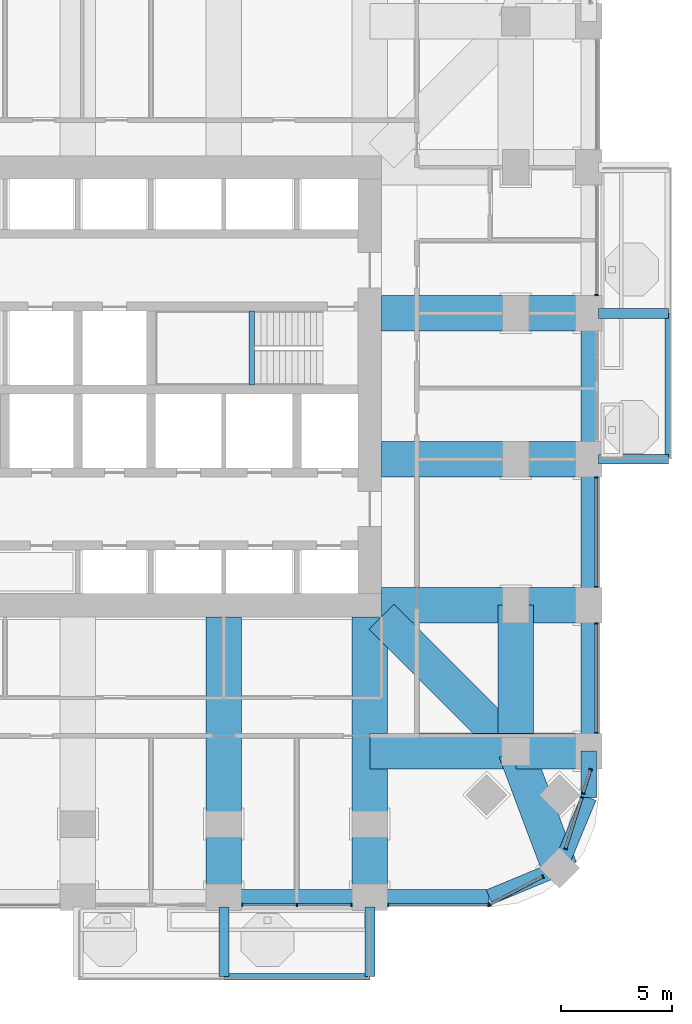
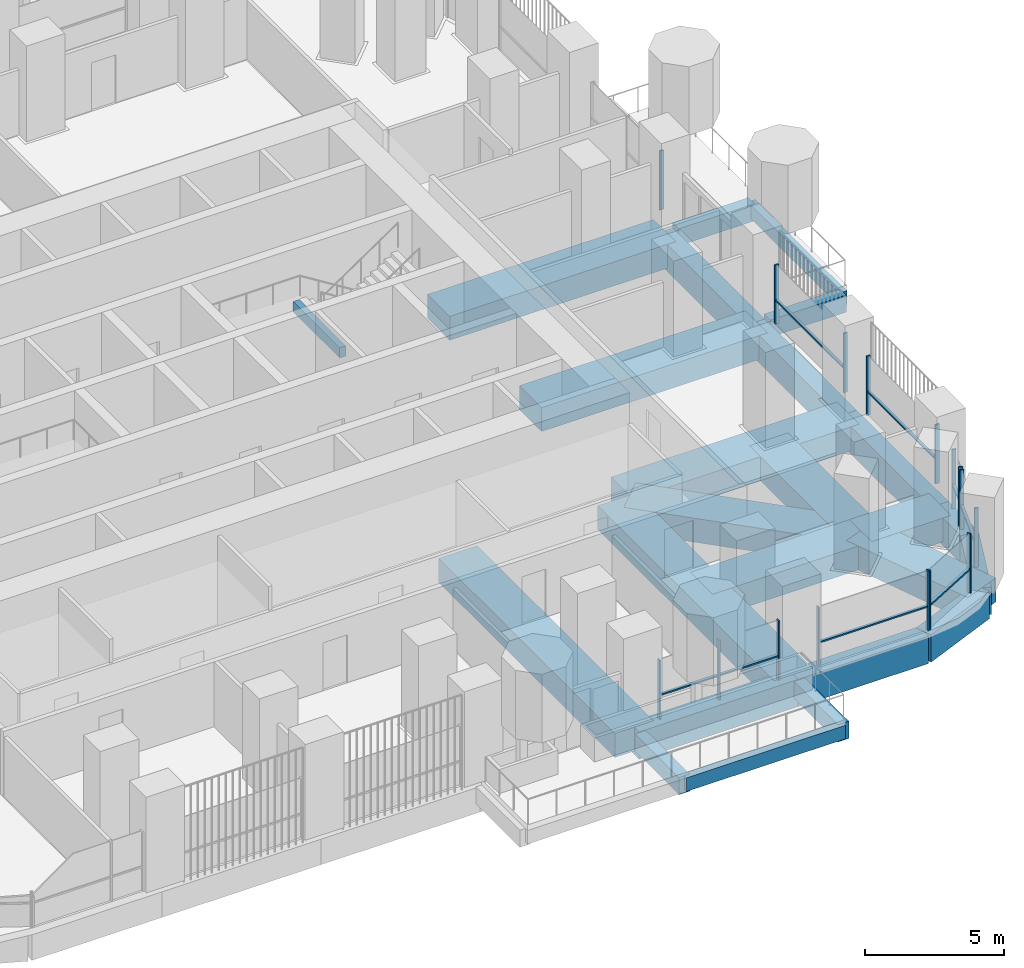
# One storey, part 5 of 22: 25 beams, 24 members, 8 elements without a shape of their own.
"""IFC4 building model written with IfcOpenShell, lengths in metres."""

from ifc_helpers import new_model, si_unit, direction, frame, origin, origin_2d, place, context, subcontext, project, spatial, rectangle, extrude, material, material_profile, profile_set, type_object, element, aggregate, save


model = new_model("IFC4")

# Units and contexts
model_context = context("Model", 3, precision=1e-05, world=origin(), true_north=direction((0.0, 1.0)))
body_context = subcontext(model_context, "Body", "Model", "MODEL_VIEW")
ifc_project = project(units=[si_unit("LENGTHUNIT", "METRE"), si_unit("AREAUNIT", "SQUARE_METRE"), si_unit("VOLUMEUNIT", "CUBIC_METRE"), si_unit("PLANEANGLEUNIT", "RADIAN"), si_unit("MASSUNIT", "GRAM", prefix="KILO")], contexts=[model_context])

# Site, building, storey
site_placement = place(None, origin())
site = spatial("IfcSite", under=ifc_project, at=site_placement, CompositionType="ELEMENT")
building_placement = place(site_placement, origin())
building = spatial("IfcBuilding", under=site, at=building_placement, Name="Cobogo Forest Laboratory Tower", CompositionType="ELEMENT")
storey_placement = place(building_placement, frame((0.0, 0.0, 136.800048828125)))
storey = spatial("IfcBuildingStorey", under=building, at=storey_placement, Name="L31", CompositionType="ELEMENT", Elevation=136.800048828125)

# Beams
ifc_material_1 = material(Name="Concrete HA-40 (C40/50)", Category="concrete")
ifc_material_profile_1 = material_profile(ifc_material_1, rectangle(XDim=0.449951171875, YDim=0.75, at=origin_2d()), Name="RC 450x750")
ifc_profile_set_1 = profile_set([ifc_material_profile_1], Name="Concrete HA-40 (C40/50)")
beam_type_1 = type_object("IfcBeamType", Name="Balcony cantilever beam 450x750", PredefinedType="BEAM", material=ifc_profile_set_1)
for number, where, z_axis, x_axis, name in (
    (1, (33.0, -0.449951171875, -0.625), (0.0, -1.0, 0.0), (1.0, 0.0, 0.0), "CB1 BAL-S1-C2 L31"),
    (2, (39.60009765625, -0.449951171875, -0.625), (0.0, -1.0, 0.0), (1.0, 0.0, 0.0), "CB1 BAL-S1-C3 L31"),
    (3, (49.949951171875, 19.800048828125, -0.625), (1.0, 0.0, 0.0), (0.0, 1.0, 0.0), "CB1 BAL-E1-C1 L31"),
    (4, (49.949951171875, 26.39990234375, -0.625), (1.0, 0.0, 0.0), (0.0, 1.0, 0.0), "CB1 BAL-E1-C2 L31"),
):
    element("IfcBeam", number, at=place(storey_placement, frame(where, z_axis=z_axis, x_axis=x_axis)), inside=storey, type_object=beam_type_1, Name=name, PredefinedType="BEAM", context=body_context, shape_type="SweptSolid", body=[
        extrude(rectangle(XDim=0.449951171875, YDim=0.75, at=origin_2d()), origin(), (0.0, 0.0, 1.0), 3.150146484375),
    ])
ifc_material_profile_2 = material_profile(ifc_material_1, rectangle(XDim=0.300048828125, YDim=0.60009765625, at=origin_2d()), Name="RC 300x600")
ifc_profile_set_2 = profile_set([ifc_material_profile_2], Name="Concrete HA-40 (C40/50)")
beam_type_2 = type_object("IfcBeamType", Name="Balcony edge beam 300x600", PredefinedType="BEAM", material=ifc_profile_set_2)
beam_1_placement = place(storey_placement, frame((33.0, -3.60009765625, -0.550048828125), z_axis=(1.0, 0.0, 0.0), x_axis=(0.0, 1.0, 0.0)))
element("IfcBeam", 5, at=beam_1_placement, inside=storey, type_object=beam_type_2, Name="BB1 BAL-S1-T2 L31", PredefinedType="BEAM", context=body_context, shape_type="SweptSolid", body=[
    extrude(rectangle(XDim=0.300048828125, YDim=0.60009765625, at=origin_2d()), origin(), (0.0, 0.0, 1.0), 6.60009765625),
])
beam_2_placement = place(storey_placement, frame((53.10009765625, 19.800048828125, -0.550048828125), z_axis=(0.0, 1.0, 0.0), x_axis=(-1.0, 0.0, 0.0)))
element("IfcBeam", 6, at=beam_2_placement, inside=storey, type_object=beam_type_2, Name="BB1 BAL-E1-T1 L31", PredefinedType="BEAM", context=body_context, shape_type="SweptSolid", body=[
    extrude(rectangle(XDim=0.300048828125, YDim=0.60009765625, at=origin_2d()), origin(), (0.0, 0.0, 1.0), 6.599853515625),
])
ifc_material_profile_3 = material_profile(ifc_material_1, rectangle(XDim=0.25, YDim=0.449951171875, at=origin_2d()), Name="RC 250x450")
ifc_profile_set_3 = profile_set([ifc_material_profile_3], Name="Concrete HA-40 (C40/50)")
beam_type_3 = type_object("IfcBeamType", Name="LB1 landing beam 250x450", PredefinedType="BEAM", material=ifc_profile_set_3)
beam_3_placement = place(storey_placement, frame((34.27001953125, 23.14990234375, 1.675048828125), z_axis=(0.0, 1.0, 0.0), x_axis=(-1.0, 0.0, 0.0)))
element("IfcBeam", 7, at=beam_3_placement, inside=storey, type_object=beam_type_3, Name="Landing beam ST2 L31", PredefinedType="BEAM", context=body_context, shape_type="SweptSolid", body=[
    extrude(rectangle(XDim=0.25, YDim=0.449951171875, at=origin_2d()), origin(), (0.0, 0.0, 1.0), 3.35009765625),
])
ifc_material_2 = material(Name="Concrete HA-50 (C50/60)", Category="concrete")
ifc_material_profile_4 = material_profile(ifc_material_2, rectangle(XDim=1.60009765625, YDim=1.050048828125, at=origin_2d()), Name="RC 1600x1050")
ifc_profile_set_4 = profile_set([ifc_material_profile_4], Name="Concrete HA-50 (C50/60)")
beam_type_4 = type_object("IfcBeamType", Name="Laboratory floor wide beam 1600x1050", PredefinedType="BEAM", material=ifc_profile_set_4)
for number, where, z_axis, x_axis, name in (
    (8, (33.0, 12.675048828125, -0.824951171875), (0.0, -1.0, 0.0), (1.0, 0.0, 0.0), "RB8 R-6-S L31"),
    (9, (39.60009765625, 12.675048828125, -0.824951171875), (0.0, -1.0, 0.0), (1.0, 0.0, 0.0), "RB8 R-7-S L31"),
):
    element("IfcBeam", number, at=place(storey_placement, frame(where, z_axis=z_axis, x_axis=x_axis)), inside=storey, type_object=beam_type_4, Name=name, PredefinedType="BEAM", context=body_context, shape_type="SweptSolid", body=[
        extrude(rectangle(XDim=1.60009765625, YDim=1.050048828125, at=origin_2d()), origin(), (0.0, 0.0, 1.0), 12.675048828125),
    ])
for number, where, z_axis, x_axis, name in (
    (10, (40.125, 13.199951171875, -0.824951171875), (1.0, 0.0, 0.0), (0.0, 1.0, 0.0), "RB8 R-C-E L31"),
    (11, (40.125, 19.800048828125, -0.824951171875), (1.0, 0.0, 0.0), (0.0, 1.0, 0.0), "RB8 R-D-E L31"),
    (12, (40.125, 26.39990234375, -0.824951171875), (1.0, 0.0, 0.0), (0.0, 1.0, 0.0), "RB8 R-E-E L31"),
):
    element("IfcBeam", number, at=place(storey_placement, frame(where, z_axis=z_axis, x_axis=x_axis)), inside=storey, type_object=beam_type_4, Name=name, PredefinedType="BEAM", context=body_context, shape_type="SweptSolid", body=[
        extrude(rectangle(XDim=1.60009765625, YDim=1.050048828125, at=origin_2d()), origin(), (0.0, 0.0, 1.0), 9.375),
    ])
beam_4_placement = place(storey_placement, frame((46.199951171875, 6.60009765625, -0.824951171875), z_axis=(0.0, 1.0, 0.0), x_axis=(-1.0, 0.0, 0.0)))
element("IfcBeam", 13, at=beam_4_placement, inside=storey, type_object=beam_type_4, Name="RB8 G-SE-XC L31", PredefinedType="BEAM", context=body_context, shape_type="SweptSolid", body=[
    extrude(rectangle(XDim=1.60009765625, YDim=1.050048828125, at=origin_2d()), origin(), (0.0, 0.0, 1.0), 6.599853515625),
])
beam_5_placement = place(storey_placement, frame((49.5, 6.60009765625, -0.824951171875), z_axis=(-1.0, 0.0, 0.0), x_axis=(0.0, -1.0, 0.0)))
element("IfcBeam", 14, at=beam_5_placement, inside=storey, type_object=beam_type_4, Name="RB8 G-SE-YF L31", PredefinedType="BEAM", context=body_context, shape_type="SweptSolid", body=[
    extrude(rectangle(XDim=1.60009765625, YDim=1.050048828125, at=origin_2d()), origin(), (0.0, 0.0, 1.0), 3.300048828125),
])
beam_6_placement = place(storey_placement, frame((46.199951171875, 6.60009765625, -0.824951171875), z_axis=(-1.0, 0.0, 0.0), x_axis=(0.0, -1.0, 0.0)))
element("IfcBeam", 15, at=beam_6_placement, inside=storey, type_object=beam_type_4, Name="RB8 G-SE-YC L31", PredefinedType="BEAM", context=body_context, shape_type="SweptSolid", body=[
    extrude(rectangle(XDim=1.60009765625, YDim=1.050048828125, at=origin_2d()), origin(), (0.0, 0.0, 1.0), 6.599853515625),
])
beam_7_placement = place(storey_placement, frame((48.181884765625, 1.318115234375, -0.824951171875), z_axis=(-0.351308391925, 0.936259800356, 0.0), x_axis=(-0.936259800356, -0.351308391925, 0.0)))
element("IfcBeam", 16, at=beam_7_placement, inside=storey, type_object=beam_type_4, Name="RB8 G-SE-D1 L31", PredefinedType="BEAM", context=body_context, shape_type="SweptSolid", body=[
    extrude(rectangle(XDim=1.60009765625, YDim=1.050048828125, at=origin_2d()), origin(), (0.0, 0.0, 1.0), 5.6416015625),
])
beam_8_placement = place(storey_placement, frame((46.199951171875, 6.60009765625, -0.824951171875), z_axis=(-0.707106781187, 0.707106781187, 0.0), x_axis=(-0.707106781187, -0.707106781187, 0.0)))
element("IfcBeam", 17, at=beam_8_placement, inside=storey, type_object=beam_type_4, Name="RB8 G-SE-D2 L31", PredefinedType="BEAM", context=body_context, shape_type="SweptSolid", body=[
    extrude(rectangle(XDim=1.60009765625, YDim=1.050048828125, at=origin_2d()), origin(), (0.0, 0.0, 1.0), 8.59130859375),
])

# Curtain wall, members
ifc_material_3 = material(Name="Aluminium curtain wall", Category="aluminium")
curtain_wall_type = type_object("IfcCurtainWallType", Name="CW-1 unitised curtain wall, clear glazing, laboratory floors zones A and B", PredefinedType="USERDEFINED", material=ifc_material_3)
curtain_wall_1_placement = place(storey_placement, origin())
curtain_wall_1 = element("IfcCurtainWall", 18, at=curtain_wall_1_placement, inside=storey, type_object=curtain_wall_type, Name="Curtain wall 05 L31", ObjectType="UNITISED CURTAIN WALL", PredefinedType="USERDEFINED")
ifc_material_4 = material(Name="Aluminium mullion", Category="aluminium")
ifc_material_profile_5 = material_profile(ifc_material_4, rectangle(XDim=0.06005859375, YDim=0.159912109375, at=origin_2d()), Name="AL 60x160")
ifc_profile_set_5 = profile_set([ifc_material_profile_5], Name="Aluminium mullion")
member_type_1 = type_object("IfcMemberType", Name="MU-1 aluminium mullion 60x160", PredefinedType="MULLION", material=ifc_profile_set_5)
member_1_placement = place(storey_placement, frame((33.830078125, -0.35009765625, 0.0), z_axis=(0.0, 0.0, 1.0), x_axis=(1.0, 0.0, 0.0)))
member_1 = element("IfcMember", 19, at=member_1_placement, type_object=member_type_1, Name="CW-1 mullion 1", PredefinedType="MULLION", context=body_context, shape_type="SweptSolid", body=[
    extrude(rectangle(XDim=0.06005859375, YDim=0.159912109375, at=origin_2d()), origin(), (0.0, 0.0, 1.0), 2.599853515625),
])
member_2_placement = place(storey_placement, frame((36.300048828125, -0.35009765625, 0.0), z_axis=(0.0, 0.0, 1.0), x_axis=(1.0, 0.0, 0.0)))
member_2 = element("IfcMember", 20, at=member_2_placement, type_object=member_type_1, Name="CW-1 mullion 2", PredefinedType="MULLION", context=body_context, shape_type="SweptSolid", body=[
    extrude(rectangle(XDim=0.06005859375, YDim=0.159912109375, at=origin_2d()), origin(), (0.0, 0.0, 1.0), 2.599853515625),
])
member_3_placement = place(storey_placement, frame((38.77001953125, -0.35009765625, 0.0), z_axis=(0.0, 0.0, 1.0), x_axis=(1.0, 0.0, 0.0)))
member_3 = element("IfcMember", 21, at=member_3_placement, type_object=member_type_1, Name="CW-1 mullion 3", PredefinedType="MULLION", context=body_context, shape_type="SweptSolid", body=[
    extrude(rectangle(XDim=0.06005859375, YDim=0.159912109375, at=origin_2d()), origin(), (0.0, 0.0, 1.0), 2.599853515625),
])

curtain_wall_2_placement = place(storey_placement, origin())
curtain_wall_2 = element("IfcCurtainWall", 22, at=curtain_wall_2_placement, inside=storey, type_object=curtain_wall_type, Name="Curtain wall 06 L31", ObjectType="UNITISED CURTAIN WALL", PredefinedType="USERDEFINED")
member_4_placement = place(storey_placement, frame((40.429931640625, -0.35009765625, 0.0), z_axis=(0.0, 0.0, 1.0), x_axis=(1.0, 0.0, 0.0)))
member_4 = element("IfcMember", 23, at=member_4_placement, type_object=member_type_1, Name="CW-1 mullion 1", PredefinedType="MULLION", context=body_context, shape_type="SweptSolid", body=[
    extrude(rectangle(XDim=0.06005859375, YDim=0.159912109375, at=origin_2d()), origin(), (0.0, 0.0, 1.0), 2.599853515625),
])
member_5_placement = place(storey_placement, frame((44.969970703125, -0.35009765625, 0.0), z_axis=(0.0, 0.0, 1.0), x_axis=(1.0, 0.0, 0.0)))
member_5 = element("IfcMember", 24, at=member_5_placement, type_object=member_type_1, Name="CW-1 mullion 2", PredefinedType="MULLION", context=body_context, shape_type="SweptSolid", body=[
    extrude(rectangle(XDim=0.06005859375, YDim=0.159912109375, at=origin_2d()), origin(), (0.0, 0.0, 1.0), 2.599853515625),
])

curtain_wall_3_placement = place(storey_placement, origin())
curtain_wall_3 = element("IfcCurtainWall", 25, at=curtain_wall_3_placement, inside=storey, type_object=curtain_wall_type, Name="Curtain wall 07 L31", ObjectType="UNITISED CURTAIN WALL", PredefinedType="USERDEFINED")
member_6_placement = place(storey_placement, frame((45.026611328125, -0.336181640625, 0.0), z_axis=(0.0, 0.0, 1.0), x_axis=(0.885686547075, 0.464283685186, 0.0)))
member_6 = element("IfcMember", 26, at=member_6_placement, type_object=member_type_1, Name="CW-1 mullion 1", PredefinedType="MULLION", context=body_context, shape_type="SweptSolid", body=[
    extrude(rectangle(XDim=0.06005859375, YDim=0.159912109375, at=origin_2d()), origin(), (0.0, 0.0, 1.0), 2.599853515625),
])
member_7_placement = place(storey_placement, frame((47.431640625, 0.9248046875, 0.0), z_axis=(0.0, 0.0, 1.0), x_axis=(0.885686547075, 0.464283685186, 0.0)))
member_7 = element("IfcMember", 27, at=member_7_placement, type_object=member_type_1, Name="CW-1 mullion 2", PredefinedType="MULLION", context=body_context, shape_type="SweptSolid", body=[
    extrude(rectangle(XDim=0.06005859375, YDim=0.159912109375, at=origin_2d()), origin(), (0.0, 0.0, 1.0), 2.599853515625),
])

curtain_wall_4_placement = place(storey_placement, origin())
curtain_wall_4 = element("IfcCurtainWall", 28, at=curtain_wall_4_placement, inside=storey, type_object=curtain_wall_type, Name="Curtain wall 08 L31", ObjectType="UNITISED CURTAIN WALL", PredefinedType="USERDEFINED")
member_8_placement = place(storey_placement, frame((48.455810546875, 2.18505859375, 0.0), z_axis=(0.0, 0.0, 1.0), x_axis=(0.301135291996, 0.953581425949, 0.0)))
member_8 = element("IfcMember", 29, at=member_8_placement, type_object=member_type_1, Name="CW-1 mullion 1", PredefinedType="MULLION", context=body_context, shape_type="SweptSolid", body=[
    extrude(rectangle(XDim=0.06005859375, YDim=0.159912109375, at=origin_2d()), origin(), (0.0, 0.0, 1.0), 2.599853515625),
])
member_9_placement = place(storey_placement, frame((49.18701171875, 4.500244140625, 0.0), z_axis=(0.0, 0.0, 1.0), x_axis=(0.301135291996, 0.953581425949, 0.0)))
member_9 = element("IfcMember", 30, at=member_9_placement, type_object=member_type_1, Name="CW-1 mullion 2", PredefinedType="MULLION", context=body_context, shape_type="SweptSolid", body=[
    extrude(rectangle(XDim=0.06005859375, YDim=0.159912109375, at=origin_2d()), origin(), (0.0, 0.0, 1.0), 2.599853515625),
])

curtain_wall_5_placement = place(storey_placement, origin())
curtain_wall_5 = element("IfcCurtainWall", 31, at=curtain_wall_5_placement, inside=storey, type_object=curtain_wall_type, Name="Curtain wall 09 L31", ObjectType="UNITISED CURTAIN WALL", PredefinedType="USERDEFINED")
member_10_placement = place(storey_placement, frame((49.247802734375, 4.69287109375, 0.0), z_axis=(0.0, 0.0, 1.0), x_axis=(0.301135667865, 0.953581307252, 0.0)))
member_10 = element("IfcMember", 32, at=member_10_placement, type_object=member_type_1, Name="CW-1 mullion 1", PredefinedType="MULLION", context=body_context, shape_type="SweptSolid", body=[
    extrude(rectangle(XDim=0.06005859375, YDim=0.159912109375, at=origin_2d()), origin(), (0.0, 0.0, 1.0), 2.599853515625),
])
member_11_placement = place(storey_placement, frame((49.58837890625, 5.771484375, 0.0), z_axis=(0.0, 0.0, 1.0), x_axis=(0.301135667865, 0.953581307252, 0.0)))
member_11 = element("IfcMember", 33, at=member_11_placement, type_object=member_type_1, Name="CW-1 mullion 2", PredefinedType="MULLION", context=body_context, shape_type="SweptSolid", body=[
    extrude(rectangle(XDim=0.06005859375, YDim=0.159912109375, at=origin_2d()), origin(), (0.0, 0.0, 1.0), 2.599853515625),
])

curtain_wall_6_placement = place(storey_placement, origin())
curtain_wall_6 = element("IfcCurtainWall", 34, at=curtain_wall_6_placement, inside=storey, type_object=curtain_wall_type, Name="Curtain wall 10 L31", ObjectType="UNITISED CURTAIN WALL", PredefinedType="USERDEFINED")
member_12_placement = place(storey_placement, frame((49.85009765625, 7.429931640625, 0.0), z_axis=(0.0, 0.0, 1.0), x_axis=(0.0, 1.0, 0.0)))
member_12 = element("IfcMember", 35, at=member_12_placement, type_object=member_type_1, Name="CW-1 mullion 1", PredefinedType="MULLION", context=body_context, shape_type="SweptSolid", body=[
    extrude(rectangle(XDim=0.06005859375, YDim=0.159912109375, at=origin_2d()), origin(), (0.0, 0.0, 1.0), 2.599853515625),
])
member_13_placement = place(storey_placement, frame((49.85009765625, 12.3701171875, 0.0), z_axis=(0.0, 0.0, 1.0), x_axis=(0.0, 1.0, 0.0)))
member_13 = element("IfcMember", 36, at=member_13_placement, type_object=member_type_1, Name="CW-1 mullion 2", PredefinedType="MULLION", context=body_context, shape_type="SweptSolid", body=[
    extrude(rectangle(XDim=0.06005859375, YDim=0.159912109375, at=origin_2d()), origin(), (0.0, 0.0, 1.0), 2.599853515625),
])

curtain_wall_7_placement = place(storey_placement, origin())
curtain_wall_7 = element("IfcCurtainWall", 37, at=curtain_wall_7_placement, inside=storey, type_object=curtain_wall_type, Name="Curtain wall 11 L31", ObjectType="UNITISED CURTAIN WALL", PredefinedType="USERDEFINED")
member_14_placement = place(storey_placement, frame((49.85009765625, 14.030029296875, 0.0), z_axis=(0.0, 0.0, 1.0), x_axis=(0.0, 1.0, 0.0)))
member_14 = element("IfcMember", 38, at=member_14_placement, type_object=member_type_1, Name="CW-1 mullion 1", PredefinedType="MULLION", context=body_context, shape_type="SweptSolid", body=[
    extrude(rectangle(XDim=0.06005859375, YDim=0.159912109375, at=origin_2d()), origin(), (0.0, 0.0, 1.0), 2.599853515625),
])
member_15_placement = place(storey_placement, frame((49.85009765625, 18.969970703125, 0.0), z_axis=(0.0, 0.0, 1.0), x_axis=(0.0, 1.0, 0.0)))
member_15 = element("IfcMember", 39, at=member_15_placement, type_object=member_type_1, Name="CW-1 mullion 2", PredefinedType="MULLION", context=body_context, shape_type="SweptSolid", body=[
    extrude(rectangle(XDim=0.06005859375, YDim=0.159912109375, at=origin_2d()), origin(), (0.0, 0.0, 1.0), 2.599853515625),
])

# Curtain wall, member
curtain_wall_8_placement = place(storey_placement, origin())
curtain_wall_8 = element("IfcCurtainWall", 40, at=curtain_wall_8_placement, inside=storey, type_object=curtain_wall_type, Name="Curtain wall 13 L31", ObjectType="UNITISED CURTAIN WALL", PredefinedType="USERDEFINED")
member_16_placement = place(storey_placement, frame((49.85009765625, 27.22998046875, 0.0), z_axis=(0.0, 0.0, 1.0), x_axis=(0.0, 1.0, 0.0)))
member_16 = element("IfcMember", 41, at=member_16_placement, type_object=member_type_1, Name="CW-1 mullion 1", PredefinedType="MULLION", context=body_context, shape_type="SweptSolid", body=[
    extrude(rectangle(XDim=0.06005859375, YDim=0.159912109375, at=origin_2d()), origin(), (0.0, 0.0, 1.0), 2.599853515625),
])
aggregate(curtain_wall_8, [member_16])

# Beams
ifc_material_profile_6 = material_profile(ifc_material_1, rectangle(XDim=0.699951171875, YDim=1.199951171875, at=origin_2d()), Name="RC 700x1200")
ifc_profile_set_6 = profile_set([ifc_material_profile_6], Name="Concrete HA-40 (C40/50)")
beam_type_5 = type_object("IfcBeamType", Name="Perimeter edge beam 700x1200", PredefinedType="BEAM", material=ifc_profile_set_6)
beam_9_placement = place(storey_placement, frame((33.0, 0.0, -0.900146484375), z_axis=(1.0, 0.0, 0.0), x_axis=(0.0, 1.0, 0.0)))
element("IfcBeam", 42, at=beam_9_placement, inside=storey, type_object=beam_type_5, Name="EB1 E-S4 L31", PredefinedType="BEAM", context=body_context, shape_type="SweptSolid", body=[
    extrude(rectangle(XDim=0.699951171875, YDim=1.199951171875, at=origin_2d()), origin(), (0.0, 0.0, 1.0), 6.60009765625),
])
beam_10_placement = place(storey_placement, frame((49.5, 6.60009765625, -0.900146484375), z_axis=(0.0, 1.0, 0.0), x_axis=(-1.0, 0.0, 0.0)))
element("IfcBeam", 43, at=beam_10_placement, inside=storey, type_object=beam_type_5, Name="EB1 E-E1 L31", PredefinedType="BEAM", context=body_context, shape_type="SweptSolid", body=[
    extrude(rectangle(XDim=0.699951171875, YDim=1.199951171875, at=origin_2d()), origin(), (0.0, 0.0, 1.0), 6.599853515625),
])
beam_11_placement = place(storey_placement, frame((49.5, 13.199951171875, -0.900146484375), z_axis=(0.0, 1.0, 0.0), x_axis=(-1.0, 0.0, 0.0)))
element("IfcBeam", 44, at=beam_11_placement, inside=storey, type_object=beam_type_5, Name="EB1 E-E2 L31", PredefinedType="BEAM", context=body_context, shape_type="SweptSolid", body=[
    extrude(rectangle(XDim=0.699951171875, YDim=1.199951171875, at=origin_2d()), origin(), (0.0, 0.0, 1.0), 6.60009765625),
])
beam_12_placement = place(storey_placement, frame((49.5, 19.800048828125, -0.900146484375), z_axis=(0.0, 1.0, 0.0), x_axis=(-1.0, 0.0, 0.0)))
element("IfcBeam", 45, at=beam_12_placement, inside=storey, type_object=beam_type_5, Name="EB1 E-E3 L31", PredefinedType="BEAM", context=body_context, shape_type="SweptSolid", body=[
    extrude(rectangle(XDim=0.699951171875, YDim=1.199951171875, at=origin_2d()), origin(), (0.0, 0.0, 1.0), 6.599853515625),
])
beam_13_placement = place(storey_placement, frame((39.60009765625, 0.0, -0.900146484375), z_axis=(1.0, 0.0, 0.0), x_axis=(0.0, 1.0, 0.0)))
element("IfcBeam", 46, at=beam_13_placement, inside=storey, type_object=beam_type_5, Name="EB1 E-SES1 L31", PredefinedType="BEAM", context=body_context, shape_type="SweptSolid", body=[
    extrude(rectangle(XDim=0.699951171875, YDim=1.199951171875, at=origin_2d()), origin(), (0.0, 0.0, 1.0), 5.39990234375),
])
beam_14_placement = place(storey_placement, frame((45.0, 0.0, -0.900146484375), z_axis=(0.923865631356, 0.382716990999, 0.0), x_axis=(-0.382716990999, 0.923865631356, 0.0)))
element("IfcBeam", 47, at=beam_14_placement, inside=storey, type_object=beam_type_5, Name="EB1 E-SES2 L31", PredefinedType="BEAM", context=body_context, shape_type="SweptSolid", body=[
    extrude(rectangle(XDim=0.699951171875, YDim=1.199951171875, at=origin_2d()), origin(), (0.0, 0.0, 1.0), 3.444091796875),
])
beam_15_placement = place(storey_placement, frame((49.5, 6.60009765625, -0.900146484375), z_axis=(0.0, -1.0, 0.0), x_axis=(1.0, 0.0, 0.0)))
element("IfcBeam", 48, at=beam_15_placement, inside=storey, type_object=beam_type_5, Name="EB1 E-SEE1 L31", PredefinedType="BEAM", context=body_context, shape_type="SweptSolid", body=[
    extrude(rectangle(XDim=0.699951171875, YDim=1.199951171875, at=origin_2d()), origin(), (0.0, 0.0, 1.0), 2.10009765625),
])
beam_16_placement = place(storey_placement, frame((49.5, 4.5, -0.900146484375), z_axis=(-0.382716990999, -0.923865631356, 0.0), x_axis=(0.923865631356, -0.382716990999, 0.0)))
element("IfcBeam", 49, at=beam_16_placement, inside=storey, type_object=beam_type_5, Name="EB1 E-SEE2 L31", PredefinedType="BEAM", context=body_context, shape_type="SweptSolid", body=[
    extrude(rectangle(XDim=0.699951171875, YDim=1.199951171875, at=origin_2d()), origin(), (0.0, 0.0, 1.0), 3.444091796875),
])

# Member
ifc_material_5 = material(Name="Aluminium transom", Category="aluminium")
ifc_material_profile_7 = material_profile(ifc_material_5, rectangle(XDim=0.1201171875, YDim=0.06005859375, at=origin_2d()), Name="AL 60x120")
ifc_profile_set_7 = profile_set([ifc_material_profile_7], Name="Aluminium transom")
member_type_2 = type_object("IfcMemberType", Name="TR-1 aluminium transom 60x120", PredefinedType="USERDEFINED", material=ifc_profile_set_7)
member_17_placement = place(storey_placement, frame((33.860107421875, -0.35009765625, 1.050048828125), z_axis=(1.0, 0.0, 0.0), x_axis=(0.0, 1.0, 0.0)))
member_17 = element("IfcMember", 50, at=member_17_placement, type_object=member_type_2, Name="CW-1 transom 1.1", ObjectType="TRANSOM", PredefinedType="USERDEFINED", context=body_context, shape_type="SweptSolid", body=[
    extrude(rectangle(XDim=0.1201171875, YDim=0.06005859375, at=origin_2d()), origin(), (0.0, 0.0, 1.0), 2.409912109375),
])

member_18_placement = place(storey_placement, frame((36.330078125, -0.35009765625, 1.050048828125), z_axis=(1.0, 0.0, 0.0), x_axis=(0.0, 1.0, 0.0)))
member_18 = element("IfcMember", 51, at=member_18_placement, type_object=member_type_2, Name="CW-1 transom 2.1", ObjectType="TRANSOM", PredefinedType="USERDEFINED", context=body_context, shape_type="SweptSolid", body=[
    extrude(rectangle(XDim=0.1201171875, YDim=0.06005859375, at=origin_2d()), origin(), (0.0, 0.0, 1.0), 2.409912109375),
])

aggregate(curtain_wall_1, [member_1, member_2, member_3, member_17, member_18])

member_19_placement = place(storey_placement, frame((40.4599609375, -0.35009765625, 1.050048828125), z_axis=(1.0, 0.0, 0.0), x_axis=(0.0, 1.0, 0.0)))
member_19 = element("IfcMember", 52, at=member_19_placement, type_object=member_type_2, Name="CW-1 transom 1.1", ObjectType="TRANSOM", PredefinedType="USERDEFINED", context=body_context, shape_type="SweptSolid", body=[
    extrude(rectangle(XDim=0.1201171875, YDim=0.06005859375, at=origin_2d()), origin(), (0.0, 0.0, 1.0), 4.47998046875),
])

aggregate(curtain_wall_2, [member_4, member_5, member_19])

member_20_placement = place(storey_placement, frame((45.05322265625, -0.322021484375, 1.050048828125), z_axis=(0.885674922116, 0.464305860758, 0.0), x_axis=(-0.464305860758, 0.885674922116, 0.0)))
member_20 = element("IfcMember", 53, at=member_20_placement, type_object=member_type_2, Name="CW-1 transom 1.1", ObjectType="TRANSOM", PredefinedType="USERDEFINED", context=body_context, shape_type="SweptSolid", body=[
    extrude(rectangle(XDim=0.1201171875, YDim=0.06005859375, at=origin_2d()), origin(), (0.0, 0.0, 1.0), 2.6552734375),
])

aggregate(curtain_wall_3, [member_6, member_7, member_20])

member_21_placement = place(storey_placement, frame((48.46484375, 2.213623046875, 1.050048828125), z_axis=(0.301156039198, 0.953574873859, 0.0), x_axis=(-0.953574873859, 0.301156039198, 0.0)))
member_21 = element("IfcMember", 54, at=member_21_placement, type_object=member_type_2, Name="CW-1 transom 1.1", ObjectType="TRANSOM", PredefinedType="USERDEFINED", context=body_context, shape_type="SweptSolid", body=[
    extrude(rectangle(XDim=0.1201171875, YDim=0.06005859375, at=origin_2d()), origin(), (0.0, 0.0, 1.0), 2.367919921875),
])

aggregate(curtain_wall_4, [member_8, member_9, member_21])

member_22_placement = place(storey_placement, frame((49.2568359375, 4.7216796875, 1.050048828125), z_axis=(0.301207754852, 0.953558539586, 0.0), x_axis=(-0.953558539586, 0.301207754852, 0.0)))
member_22 = element("IfcMember", 55, at=member_22_placement, type_object=member_type_2, Name="CW-1 transom 1.1", ObjectType="TRANSOM", PredefinedType="USERDEFINED", context=body_context, shape_type="SweptSolid", body=[
    extrude(rectangle(XDim=0.1201171875, YDim=0.06005859375, at=origin_2d()), origin(), (0.0, 0.0, 1.0), 1.07080078125),
])

aggregate(curtain_wall_5, [member_10, member_11, member_22])

member_23_placement = place(storey_placement, frame((49.85009765625, 7.4599609375, 1.050048828125), z_axis=(0.0, 1.0, 0.0), x_axis=(-1.0, 0.0, 0.0)))
member_23 = element("IfcMember", 56, at=member_23_placement, type_object=member_type_2, Name="CW-1 transom 1.1", ObjectType="TRANSOM", PredefinedType="USERDEFINED", context=body_context, shape_type="SweptSolid", body=[
    extrude(rectangle(XDim=0.1201171875, YDim=0.06005859375, at=origin_2d()), origin(), (0.0, 0.0, 1.0), 4.880126953125),
])

aggregate(curtain_wall_6, [member_12, member_13, member_23])

member_24_placement = place(storey_placement, frame((49.85009765625, 14.06005859375, 1.050048828125), z_axis=(0.0, 1.0, 0.0), x_axis=(-1.0, 0.0, 0.0)))
member_24 = element("IfcMember", 57, at=member_24_placement, type_object=member_type_2, Name="CW-1 transom 1.1", ObjectType="TRANSOM", PredefinedType="USERDEFINED", context=body_context, shape_type="SweptSolid", body=[
    extrude(rectangle(XDim=0.1201171875, YDim=0.06005859375, at=origin_2d()), origin(), (0.0, 0.0, 1.0), 4.8798828125),
])

aggregate(curtain_wall_7, [member_14, member_15, member_24])

save(model, "model.ifc")
